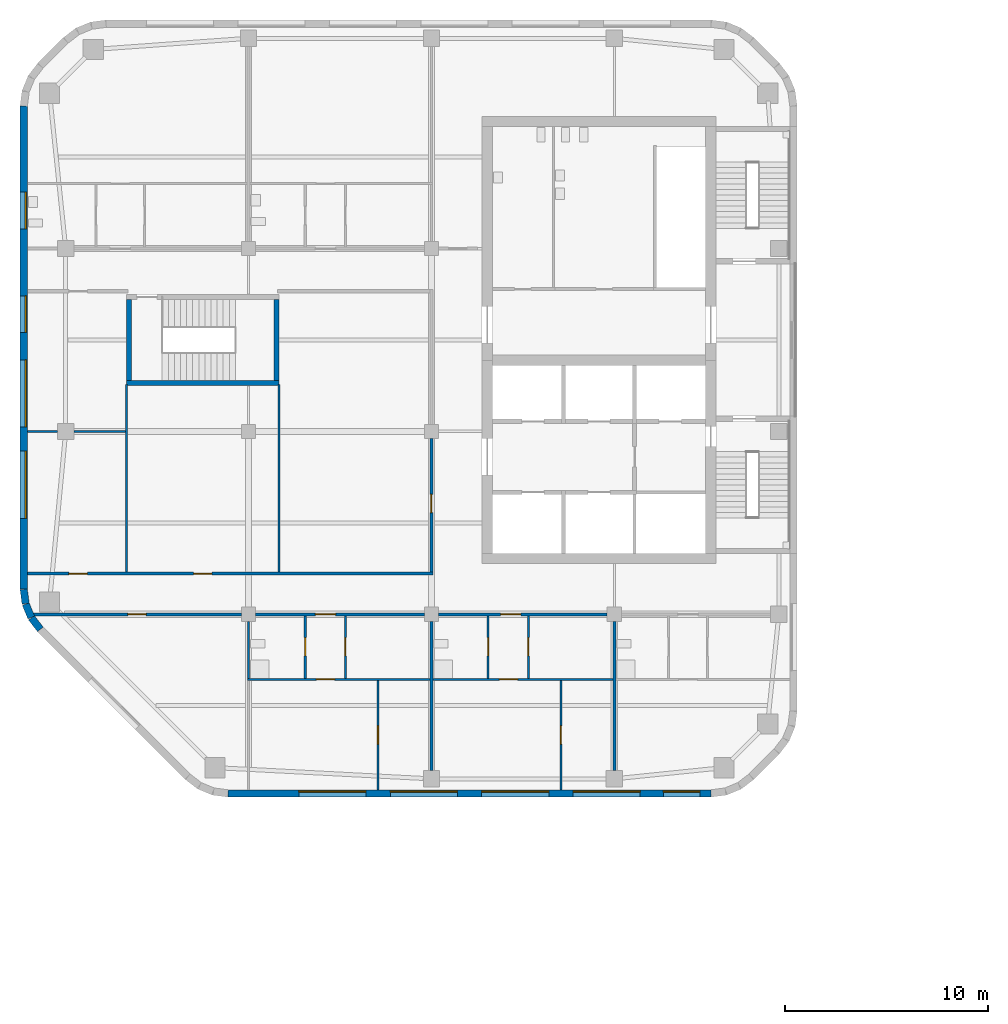
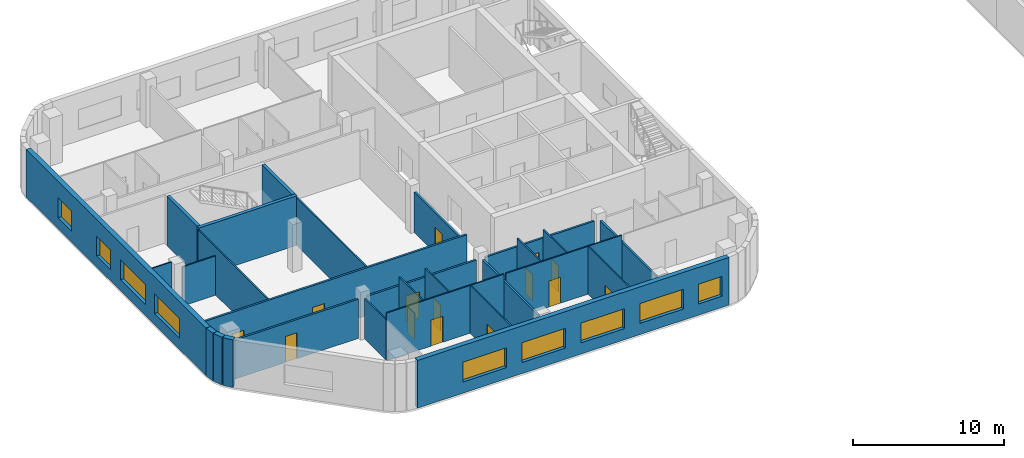
# One storey, part 5 of 16: 28 walls, 14 doors, 9 windows, 23 openings.
"""IFC4 building model written with IfcOpenShell, lengths in metres."""

from ifc_helpers import new_model, si_unit, direction, frame, frame_2d, origin, place, context, subcontext, project, spatial, rectangle, extrude, material, layer, layer_set, type_object, element, fill, save


model = new_model("IFC4")

# Units and contexts
model_context = context("Model", 3, precision=1e-05, world=origin(), true_north=direction((0.0, 1.0)))
body_context = subcontext(model_context, "Body", "Model", "MODEL_VIEW")
ifc_project = project(units=[si_unit("LENGTHUNIT", "METRE"), si_unit("AREAUNIT", "SQUARE_METRE"), si_unit("VOLUMEUNIT", "CUBIC_METRE"), si_unit("PLANEANGLEUNIT", "RADIAN"), si_unit("MASSUNIT", "GRAM", prefix="KILO")], contexts=[model_context])

# Site, building, storey
site_placement = place(None, origin())
site = spatial("IfcSite", under=ifc_project, at=site_placement, CompositionType="ELEMENT")
building_placement = place(site_placement, origin())
building = spatial("IfcBuilding", under=site, at=building_placement, Name="Cinnabar Reach Civic Tower", CompositionType="ELEMENT")
storey_placement = place(building_placement, frame((0.0, 0.0, 55.0)))
storey = spatial("IfcBuildingStorey", under=building, at=storey_placement, Name="L12", CompositionType="ELEMENT", Elevation=55.0)

# Walls
ifc_material_1 = material(Name="Facing brick with insulated backing", Category="masonry")
ifc_layer_1 = layer(ifc_material_1, 0.36)
ifc_layer_set_1 = layer_set([ifc_layer_1], Name="Brick corner wall")
wall_type_1 = type_object("IfcWallType", Name="Brick corner wall", PredefinedType="STANDARD", material=ifc_layer_set_1)
for number, where, z_axis, x_axis, name in (
    (1, (-65.067, 19.2314, 0.0), (0.0, 0.0, 1.0), (0.13055608231, -0.99144092581, 0.0), "Brick corner wall"),
    (2, (-64.9681, 18.5027, 0.0), (0.0, 0.0, 1.0), (0.382702709855, -0.923871547278, 0.0), "Brick corner wall"),
):
    element("IfcWall", number, at=place(storey_placement, frame(where, z_axis=z_axis, x_axis=x_axis)), inside=storey, type_object=wall_type_1, Name=name, PredefinedType="STANDARD", context=body_context, shape_type="SweptSolid", body=[
        extrude(rectangle(XDim=0.7131, YDim=0.36, at=frame_2d((0.3565, 0.0))), origin(), (0.0, 0.0, 1.0), 3.85),
    ])
wall_1_placement = place(storey_placement, frame((-64.684, 17.8245, 0.0), z_axis=(0.0, 0.0, 1.0), x_axis=(0.608802368033, -0.793321924995, 0.0)))
element("IfcWall", 3, at=wall_1_placement, inside=storey, type_object=wall_type_1, Name="Brick corner wall", PredefinedType="STANDARD", context=body_context, shape_type="SweptSolid", body=[
    extrude(rectangle(XDim=0.7132, YDim=0.36, at=frame_2d((0.3566, 0.0))), origin(), (0.0, 0.0, 1.0), 3.85),
])

# Wall, openings, windows
ifc_layer_2 = layer(ifc_material_1, 0.36)
ifc_layer_set_2 = layer_set([ifc_layer_2], Name="Brick pier and spandrel wall")
wall_type_2 = type_object("IfcWallType", Name="Brick pier and spandrel wall", PredefinedType="STANDARD", material=ifc_layer_set_2)
wall_2_placement = place(storey_placement, frame((-55.0074, 9.18, 0.0), z_axis=(0.0, 0.0, 1.0), x_axis=(1.0, 0.0, 0.0)))
wall_2 = element("IfcWall", 4, at=wall_2_placement, inside=storey, type_object=wall_type_2, Name="Brick facade wall", PredefinedType="STANDARD", context=body_context, shape_type="SweptSolid", body=[
    extrude(rectangle(XDim=23.7648, YDim=0.36, at=frame_2d((11.8824, 0.0))), origin(), (0.0, 0.0, 1.0), 3.85),
])
opening_1_placement = place(wall_2_placement, frame((3.4824, 0.0, 0.9)))
opening_1 = element("IfcOpeningElement", 5, at=opening_1_placement, cuts=wall_2, Name="Opening W2497", PredefinedType="OPENING", context=body_context, shape_type="SweptSolid", body=[
    extrude(rectangle(XDim=3.3, YDim=1.6, at=frame_2d((1.65, 0.8))), frame((0.0, 0.19, 0.0), z_axis=(0.0, -1.0, 0.0), x_axis=(1.0, 0.0, 0.0)), (0.0, 0.0, 1.0), 0.38),
])
opening_2_placement = place(wall_2_placement, frame((7.9824, 0.0, 0.9)))
opening_2 = element("IfcOpeningElement", 6, at=opening_2_placement, cuts=wall_2, Name="Opening W2498", PredefinedType="OPENING", context=body_context, shape_type="SweptSolid", body=[
    extrude(rectangle(XDim=3.3, YDim=1.6, at=frame_2d((1.65, 0.8))), frame((0.0, 0.19, 0.0), z_axis=(0.0, -1.0, 0.0), x_axis=(1.0, 0.0, 0.0)), (0.0, 0.0, 1.0), 0.38),
])
opening_3_placement = place(wall_2_placement, frame((12.4824, 0.0, 0.9)))
opening_3 = element("IfcOpeningElement", 7, at=opening_3_placement, cuts=wall_2, Name="Opening W2499", PredefinedType="OPENING", context=body_context, shape_type="SweptSolid", body=[
    extrude(rectangle(XDim=3.3, YDim=1.6, at=frame_2d((1.65, 0.8))), frame((0.0, 0.19, 0.0), z_axis=(0.0, -1.0, 0.0), x_axis=(1.0, 0.0, 0.0)), (0.0, 0.0, 1.0), 0.38),
])
opening_4_placement = place(wall_2_placement, frame((16.9824, 0.0, 0.9)))
opening_4 = element("IfcOpeningElement", 8, at=opening_4_placement, cuts=wall_2, Name="Opening W2500", PredefinedType="OPENING", context=body_context, shape_type="SweptSolid", body=[
    extrude(rectangle(XDim=3.3, YDim=1.6, at=frame_2d((1.65, 0.8))), frame((0.0, 0.19, 0.0), z_axis=(0.0, -1.0, 0.0), x_axis=(1.0, 0.0, 0.0)), (0.0, 0.0, 1.0), 0.38),
])
opening_5_placement = place(wall_2_placement, frame((21.4235, 0.0, 0.9)))
opening_5 = element("IfcOpeningElement", 9, at=opening_5_placement, cuts=wall_2, Name="Opening W2501", PredefinedType="OPENING", context=body_context, shape_type="SweptSolid", body=[
    extrude(rectangle(XDim=1.8, YDim=1.6, at=frame_2d((0.9, 0.8))), frame((0.0, 0.19, 0.0), z_axis=(0.0, -1.0, 0.0), x_axis=(1.0, 0.0, 0.0)), (0.0, 0.0, 1.0), 0.38),
])
ifc_material_2 = material(Name="Clear double glazing in aluminium frame", Category="aluminium")
window_type_1 = type_object("IfcWindowType", Name="Deep-set window A", PartitioningType="SINGLE_PANEL", PredefinedType="WINDOW", material=ifc_material_2)
window_1_placement = place(opening_1_placement, origin())
window_1 = element("IfcWindow", 10, at=window_1_placement, inside=storey, type_object=window_type_1, Name="Window south face", OverallHeight=1.6, OverallWidth=3.3, PartitioningType="SINGLE_PANEL", PredefinedType="WINDOW", context=body_context, shape_type="SweptSolid", body=[
    extrude(rectangle(XDim=3.3, YDim=1.6, at=frame_2d((1.65, 0.8))), frame((0.0, 0.13, 0.0), z_axis=(0.0, -1.0, 0.0), x_axis=(1.0, 0.0, 0.0)), (0.0, 0.0, 1.0), 0.06),
])
fill(opening_1, window_1)
window_2_placement = place(opening_2_placement, origin())
window_2 = element("IfcWindow", 11, at=window_2_placement, inside=storey, type_object=window_type_1, Name="Window south face", OverallHeight=1.6, OverallWidth=3.3, PartitioningType="SINGLE_PANEL", PredefinedType="WINDOW", context=body_context, shape_type="SweptSolid", body=[
    extrude(rectangle(XDim=3.3, YDim=1.6, at=frame_2d((1.65, 0.8))), frame((0.0, 0.13, 0.0), z_axis=(0.0, -1.0, 0.0), x_axis=(1.0, 0.0, 0.0)), (0.0, 0.0, 1.0), 0.06),
])
fill(opening_2, window_2)
window_3_placement = place(opening_3_placement, origin())
window_3 = element("IfcWindow", 12, at=window_3_placement, inside=storey, type_object=window_type_1, Name="Window south face", OverallHeight=1.6, OverallWidth=3.3, PartitioningType="SINGLE_PANEL", PredefinedType="WINDOW", context=body_context, shape_type="SweptSolid", body=[
    extrude(rectangle(XDim=3.3, YDim=1.6, at=frame_2d((1.65, 0.8))), frame((0.0, 0.13, 0.0), z_axis=(0.0, -1.0, 0.0), x_axis=(1.0, 0.0, 0.0)), (0.0, 0.0, 1.0), 0.06),
])
fill(opening_3, window_3)
window_4_placement = place(opening_4_placement, origin())
window_4 = element("IfcWindow", 13, at=window_4_placement, inside=storey, type_object=window_type_1, Name="Window south face", OverallHeight=1.6, OverallWidth=3.3, PartitioningType="SINGLE_PANEL", PredefinedType="WINDOW", context=body_context, shape_type="SweptSolid", body=[
    extrude(rectangle(XDim=3.3, YDim=1.6, at=frame_2d((1.65, 0.8))), frame((0.0, 0.13, 0.0), z_axis=(0.0, -1.0, 0.0), x_axis=(1.0, 0.0, 0.0)), (0.0, 0.0, 1.0), 0.06),
])
fill(opening_4, window_4)
window_type_2 = type_object("IfcWindowType", Name="Deep-set window D", PartitioningType="SINGLE_PANEL", PredefinedType="WINDOW", material=ifc_material_2)
window_5_placement = place(opening_5_placement, origin())
window_5 = element("IfcWindow", 14, at=window_5_placement, inside=storey, type_object=window_type_2, Name="Window south face", OverallHeight=1.6, OverallWidth=1.8, PartitioningType="SINGLE_PANEL", PredefinedType="WINDOW", context=body_context, shape_type="SweptSolid", body=[
    extrude(rectangle(XDim=1.8, YDim=1.6, at=frame_2d((0.9, 0.8))), frame((0.0, 0.13, 0.0), z_axis=(0.0, -1.0, 0.0), x_axis=(1.0, 0.0, 0.0)), (0.0, 0.0, 1.0), 0.06),
])
fill(opening_5, window_5)

wall_3_placement = place(storey_placement, frame((-65.07, 43.0074, 0.0), z_axis=(0.0, 0.0, 1.0), x_axis=(0.0, -1.0, 0.0)))
wall_3 = element("IfcWall", 15, at=wall_3_placement, inside=storey, type_object=wall_type_2, Name="Brick facade wall", PredefinedType="STANDARD", context=body_context, shape_type="SweptSolid", body=[
    extrude(rectangle(XDim=23.7648, YDim=0.36, at=frame_2d((11.8824, 0.0))), origin(), (0.0, 0.0, 1.0), 3.85),
])
opening_6_placement = place(wall_3_placement, frame((4.2324, 0.0, 0.9)))
opening_6 = element("IfcOpeningElement", 16, at=opening_6_placement, cuts=wall_3, Name="Opening W2510", PredefinedType="OPENING", context=body_context, shape_type="SweptSolid", body=[
    extrude(rectangle(XDim=1.8, YDim=1.6, at=frame_2d((0.9, 0.8))), frame((0.0, 0.19, 0.0), z_axis=(0.0, -1.0, 0.0), x_axis=(1.0, 0.0, 0.0)), (0.0, 0.0, 1.0), 0.38),
])
opening_7_placement = place(wall_3_placement, frame((9.3324, 0.0, 0.9)))
opening_7 = element("IfcOpeningElement", 17, at=opening_7_placement, cuts=wall_3, Name="Opening W2511", PredefinedType="OPENING", context=body_context, shape_type="SweptSolid", body=[
    extrude(rectangle(XDim=1.8, YDim=1.6, at=frame_2d((0.9, 0.8))), frame((0.0, 0.19, 0.0), z_axis=(0.0, -1.0, 0.0), x_axis=(1.0, 0.0, 0.0)), (0.0, 0.0, 1.0), 0.38),
])
opening_8_placement = place(wall_3_placement, frame((12.4824, 0.0, 0.9)))
opening_8 = element("IfcOpeningElement", 18, at=opening_8_placement, cuts=wall_3, Name="Opening W2512", PredefinedType="OPENING", context=body_context, shape_type="SweptSolid", body=[
    extrude(rectangle(XDim=3.3, YDim=1.6, at=frame_2d((1.65, 0.8))), frame((0.0, 0.19, 0.0), z_axis=(0.0, -1.0, 0.0), x_axis=(1.0, 0.0, 0.0)), (0.0, 0.0, 1.0), 0.38),
])
opening_9_placement = place(wall_3_placement, frame((16.9824, 0.0, 0.9)))
opening_9 = element("IfcOpeningElement", 19, at=opening_9_placement, cuts=wall_3, Name="Opening W2513", PredefinedType="OPENING", context=body_context, shape_type="SweptSolid", body=[
    extrude(rectangle(XDim=3.3, YDim=1.6, at=frame_2d((1.65, 0.8))), frame((0.0, 0.19, 0.0), z_axis=(0.0, -1.0, 0.0), x_axis=(1.0, 0.0, 0.0)), (0.0, 0.0, 1.0), 0.38),
])
window_6_placement = place(opening_8_placement, origin())
window_6 = element("IfcWindow", 20, at=window_6_placement, inside=storey, type_object=window_type_1, Name="Window west face", OverallHeight=1.6, OverallWidth=3.3, PartitioningType="SINGLE_PANEL", PredefinedType="WINDOW", context=body_context, shape_type="SweptSolid", body=[
    extrude(rectangle(XDim=3.3, YDim=1.6, at=frame_2d((1.65, 0.8))), frame((0.0, 0.13, 0.0), z_axis=(0.0, -1.0, 0.0), x_axis=(1.0, 0.0, 0.0)), (0.0, 0.0, 1.0), 0.06),
])
fill(opening_8, window_6)
window_7_placement = place(opening_9_placement, origin())
window_7 = element("IfcWindow", 21, at=window_7_placement, inside=storey, type_object=window_type_1, Name="Window west face", OverallHeight=1.6, OverallWidth=3.3, PartitioningType="SINGLE_PANEL", PredefinedType="WINDOW", context=body_context, shape_type="SweptSolid", body=[
    extrude(rectangle(XDim=3.3, YDim=1.6, at=frame_2d((1.65, 0.8))), frame((0.0, 0.13, 0.0), z_axis=(0.0, -1.0, 0.0), x_axis=(1.0, 0.0, 0.0)), (0.0, 0.0, 1.0), 0.06),
])
fill(opening_9, window_7)
window_8_placement = place(opening_6_placement, origin())
window_8 = element("IfcWindow", 22, at=window_8_placement, inside=storey, type_object=window_type_2, Name="Window west face", OverallHeight=1.6, OverallWidth=1.8, PartitioningType="SINGLE_PANEL", PredefinedType="WINDOW", context=body_context, shape_type="SweptSolid", body=[
    extrude(rectangle(XDim=1.8, YDim=1.6, at=frame_2d((0.9, 0.8))), frame((0.0, 0.13, 0.0), z_axis=(0.0, -1.0, 0.0), x_axis=(1.0, 0.0, 0.0)), (0.0, 0.0, 1.0), 0.06),
])
fill(opening_6, window_8)
window_9_placement = place(opening_7_placement, origin())
window_9 = element("IfcWindow", 23, at=window_9_placement, inside=storey, type_object=window_type_2, Name="Window west face", OverallHeight=1.6, OverallWidth=1.8, PartitioningType="SINGLE_PANEL", PredefinedType="WINDOW", context=body_context, shape_type="SweptSolid", body=[
    extrude(rectangle(XDim=1.8, YDim=1.6, at=frame_2d((0.9, 0.8))), frame((0.0, 0.13, 0.0), z_axis=(0.0, -1.0, 0.0), x_axis=(1.0, 0.0, 0.0)), (0.0, 0.0, 1.0), 0.06),
])
fill(opening_7, window_9)

# Wall, opening, door
ifc_material_3 = material(Name="Gypsum board on steel studs, double layer", Category="steel")
ifc_layer_3 = layer(ifc_material_3, 0.15)
ifc_layer_set_3 = layer_set([ifc_layer_3], Name="Corridor wall 150 T2")
wall_type_3 = type_object("IfcWallType", Name="Corridor wall 150 T2", PredefinedType="PARTITIONING", material=ifc_layer_set_3)
wall_4_placement = place(storey_placement, frame((-44.65, 18.0, 0.0), z_axis=(0.0, 0.0, 1.0), x_axis=(1.0, 0.0, 0.0)))
wall_4 = element("IfcWall", 24, at=wall_4_placement, inside=storey, type_object=wall_type_3, Name="Corridor wall 2", PredefinedType="PARTITIONING", context=body_context, shape_type="SweptSolid", body=[
    extrude(rectangle(XDim=8.3, YDim=0.15, at=frame_2d((4.15, 0.0))), origin(), (0.0, 0.0, 1.0), 3.158),
])
opening_10_placement = place(wall_4_placement, frame((3.05, 0.0, 0.0)))
opening_10 = element("IfcOpeningElement", 25, at=opening_10_placement, cuts=wall_4, Name="Opening D6466", PredefinedType="OPENING", context=body_context, shape_type="SweptSolid", body=[
    extrude(rectangle(XDim=1.0, YDim=2.1, at=frame_2d((0.5, 1.05))), frame((0.0, 0.085, 0.0), z_axis=(0.0, -1.0, 0.0), x_axis=(1.0, 0.0, 0.0)), (0.0, 0.0, 1.0), 0.17),
])
ifc_material_4 = material(Name="Timber door leaf in steel frame", Category="steel")
door_type_1 = type_object("IfcDoorType", Name="Tenancy entrance door 1000 x 2100 T2", OperationType="SINGLE_SWING_LEFT", PredefinedType="DOOR", material=ifc_material_4)
door_1_placement = place(opening_10_placement, frame((1.0, 0.0, 0.0), z_axis=(0.0, 0.0, 1.0), x_axis=(-1.0, 0.0, 0.0)))
door_1 = element("IfcDoor", 26, at=door_1_placement, inside=storey, type_object=door_type_1, Name="Door D6466", OperationType="SINGLE_SWING_LEFT", OverallHeight=2.1, OverallWidth=1.0, PredefinedType="DOOR", context=body_context, shape_type="SweptSolid", body=[
    extrude(rectangle(XDim=1.0, YDim=2.1, at=frame_2d((0.5, 1.05))), frame((0.0, 0.025, 0.0), z_axis=(0.0, -1.0, 0.0), x_axis=(1.0, 0.0, 0.0)), (0.0, 0.0, 1.0), 0.05),
])
fill(opening_10, door_1)

wall_5_placement = place(storey_placement, frame((-53.65, 18.0, 0.0), z_axis=(0.0, 0.0, 1.0), x_axis=(1.0, 0.0, 0.0)))
wall_5 = element("IfcWall", 27, at=wall_5_placement, inside=storey, type_object=wall_type_3, Name="Corridor wall 3", PredefinedType="PARTITIONING", context=body_context, shape_type="SweptSolid", body=[
    extrude(rectangle(XDim=8.3, YDim=0.15, at=frame_2d((4.15, 0.0))), origin(), (0.0, 0.0, 1.0), 3.158),
])
opening_11_placement = place(wall_5_placement, frame((2.94, 0.0, 0.0)))
opening_11 = element("IfcOpeningElement", 28, at=opening_11_placement, cuts=wall_5, Name="Opening D6461", PredefinedType="OPENING", context=body_context, shape_type="SweptSolid", body=[
    extrude(rectangle(XDim=1.0, YDim=2.1, at=frame_2d((0.5, 1.05))), frame((0.0, 0.085, 0.0), z_axis=(0.0, -1.0, 0.0), x_axis=(1.0, 0.0, 0.0)), (0.0, 0.0, 1.0), 0.17),
])
door_2_placement = place(opening_11_placement, frame((1.0, 0.0, 0.0), z_axis=(0.0, 0.0, 1.0), x_axis=(-1.0, 0.0, 0.0)))
door_2 = element("IfcDoor", 29, at=door_2_placement, inside=storey, type_object=door_type_1, Name="Door D6461", OperationType="SINGLE_SWING_LEFT", OverallHeight=2.1, OverallWidth=1.0, PredefinedType="DOOR", context=body_context, shape_type="SweptSolid", body=[
    extrude(rectangle(XDim=1.0, YDim=2.1, at=frame_2d((0.5, 1.05))), frame((0.0, 0.025, 0.0), z_axis=(0.0, -1.0, 0.0), x_axis=(1.0, 0.0, 0.0)), (0.0, 0.0, 1.0), 0.05),
])
fill(opening_11, door_2)

wall_6_placement = place(storey_placement, frame((-64.5961, 18.0, 0.0), z_axis=(0.0, 0.0, 1.0), x_axis=(1.0, 0.0, 0.0)))
wall_6 = element("IfcWall", 30, at=wall_6_placement, inside=storey, type_object=wall_type_3, Name="Corridor wall 4", PredefinedType="PARTITIONING", context=body_context, shape_type="SweptSolid", body=[
    extrude(rectangle(XDim=10.2461, YDim=0.15, at=frame_2d((5.1231, 0.0))), origin(), (0.0, 0.0, 1.0), 3.158),
])
opening_12_placement = place(wall_6_placement, frame((4.65, 0.0, 0.0)))
opening_12 = element("IfcOpeningElement", 31, at=opening_12_placement, cuts=wall_6, Name="Opening D6456", PredefinedType="OPENING", context=body_context, shape_type="SweptSolid", body=[
    extrude(rectangle(XDim=0.9, YDim=2.1, at=frame_2d((0.45, 1.05))), frame((0.0, 0.085, 0.0), z_axis=(0.0, -1.0, 0.0), x_axis=(1.0, 0.0, 0.0)), (0.0, 0.0, 1.0), 0.17),
])
door_type_2 = type_object("IfcDoorType", Name="Single swing door 900 x 2100 T2", OperationType="SINGLE_SWING_LEFT", PredefinedType="DOOR", material=ifc_material_4)
door_3_placement = place(opening_12_placement, frame((0.9, 0.0, 0.0), z_axis=(0.0, 0.0, 1.0), x_axis=(-1.0, 0.0, 0.0)))
door_3 = element("IfcDoor", 32, at=door_3_placement, inside=storey, type_object=door_type_2, Name="Door D6456", OperationType="SINGLE_SWING_RIGHT", OverallHeight=2.1, OverallWidth=0.9, PredefinedType="DOOR", context=body_context, shape_type="SweptSolid", body=[
    extrude(rectangle(XDim=0.9, YDim=2.1, at=frame_2d((0.45, 1.05))), frame((0.0, 0.025, 0.0), z_axis=(0.0, -1.0, 0.0), x_axis=(1.0, 0.0, 0.0)), (0.0, 0.0, 1.0), 0.05),
])
fill(opening_12, door_3)

# Wall, openings, doors
wall_7_placement = place(storey_placement, frame((-64.89, 20.0, 0.0), z_axis=(0.0, 0.0, 1.0), x_axis=(1.0, 0.0, 0.0)))
wall_7 = element("IfcWall", 33, at=wall_7_placement, inside=storey, type_object=wall_type_3, Name="Corridor wall 9", PredefinedType="PARTITIONING", context=body_context, shape_type="SweptSolid", body=[
    extrude(rectangle(XDim=19.965, YDim=0.15, at=frame_2d((9.9825, 0.0))), origin(), (0.0, 0.0, 1.0), 3.85),
])
opening_13_placement = place(wall_7_placement, frame((2.05, 0.0, 0.0)))
opening_13 = element("IfcOpeningElement", 34, at=opening_13_placement, cuts=wall_7, Name="Opening D6479", PredefinedType="OPENING", context=body_context, shape_type="SweptSolid", body=[
    extrude(rectangle(XDim=0.9, YDim=2.1, at=frame_2d((0.45, 1.05))), frame((0.0, 0.085, 0.0), z_axis=(0.0, -1.0, 0.0), x_axis=(1.0, 0.0, 0.0)), (0.0, 0.0, 1.0), 0.17),
])
opening_14_placement = place(wall_7_placement, frame((8.19, 0.0, 0.0)))
opening_14 = element("IfcOpeningElement", 35, at=opening_14_placement, cuts=wall_7, Name="Opening D6481", PredefinedType="OPENING", context=body_context, shape_type="SweptSolid", body=[
    extrude(rectangle(XDim=0.9, YDim=2.1, at=frame_2d((0.45, 1.05))), frame((0.0, 0.085, 0.0), z_axis=(0.0, -1.0, 0.0), x_axis=(1.0, 0.0, 0.0)), (0.0, 0.0, 1.0), 0.17),
])
door_4_placement = place(opening_13_placement, origin())
door_4 = element("IfcDoor", 36, at=door_4_placement, inside=storey, type_object=door_type_2, Name="Door D6479", OperationType="SINGLE_SWING_LEFT", OverallHeight=2.1, OverallWidth=0.9, PredefinedType="DOOR", context=body_context, shape_type="SweptSolid", body=[
    extrude(rectangle(XDim=0.9, YDim=2.1, at=frame_2d((0.45, 1.05))), frame((0.0, 0.025, 0.0), z_axis=(0.0, -1.0, 0.0), x_axis=(1.0, 0.0, 0.0)), (0.0, 0.0, 1.0), 0.05),
])
fill(opening_13, door_4)
door_5_placement = place(opening_14_placement, origin())
door_5 = element("IfcDoor", 37, at=door_5_placement, inside=storey, type_object=door_type_2, Name="Door D6481", OperationType="SINGLE_SWING_LEFT", OverallHeight=2.1, OverallWidth=0.9, PredefinedType="DOOR", context=body_context, shape_type="SweptSolid", body=[
    extrude(rectangle(XDim=0.9, YDim=2.1, at=frame_2d((0.45, 1.05))), frame((0.0, 0.025, 0.0), z_axis=(0.0, -1.0, 0.0), x_axis=(1.0, 0.0, 0.0)), (0.0, 0.0, 1.0), 0.05),
])
fill(opening_14, door_5)

# Wall, opening, door
wall_8_placement = place(storey_placement, frame((-45.0, 20.075, 0.0), z_axis=(0.0, 0.0, 1.0), x_axis=(0.0, 1.0, 0.0)))
wall_8 = element("IfcWall", 38, at=wall_8_placement, inside=storey, type_object=wall_type_3, Name="Corridor wall 10", PredefinedType="PARTITIONING", context=body_context, shape_type="SweptSolid", body=[
    extrude(rectangle(XDim=6.575, YDim=0.15, at=frame_2d((3.2875, 0.0))), origin(), (0.0, 0.0, 1.0), 3.256),
])
opening_15_placement = place(wall_8_placement, frame((2.925, 0.0, 0.0)))
opening_15 = element("IfcOpeningElement", 39, at=opening_15_placement, cuts=wall_8, Name="Opening D6482", PredefinedType="OPENING", context=body_context, shape_type="SweptSolid", body=[
    extrude(rectangle(XDim=0.9, YDim=2.1, at=frame_2d((0.45, 1.05))), frame((0.0, 0.085, 0.0), z_axis=(0.0, -1.0, 0.0), x_axis=(1.0, 0.0, 0.0)), (0.0, 0.0, 1.0), 0.17),
])
door_6_placement = place(opening_15_placement, origin())
door_6 = element("IfcDoor", 40, at=door_6_placement, inside=storey, type_object=door_type_2, Name="Door D6482", OperationType="SINGLE_SWING_LEFT", OverallHeight=2.1, OverallWidth=0.9, PredefinedType="DOOR", context=body_context, shape_type="SweptSolid", body=[
    extrude(rectangle(XDim=0.9, YDim=2.1, at=frame_2d((0.45, 1.05))), frame((0.0, 0.025, 0.0), z_axis=(0.0, -1.0, 0.0), x_axis=(1.0, 0.0, 0.0)), (0.0, 0.0, 1.0), 0.05),
])
fill(opening_15, door_6)

ifc_material_5 = material(Name="Gypsum board on steel studs", Category="steel")
ifc_layer_4 = layer(ifc_material_5, 0.1)
ifc_layer_set_4 = layer_set([ifc_layer_4], Name="Partition wall 100 T2")
wall_type_4 = type_object("IfcWallType", Name="Partition wall 100 T2", PredefinedType="PARTITIONING", material=ifc_layer_set_4)
wall_9_placement = place(storey_placement, frame((-54.05, 14.8, 0.0), z_axis=(0.0, 0.0, 1.0), x_axis=(1.0, 0.0, 0.0)))
wall_9 = element("IfcWall", 41, at=wall_9_placement, inside=storey, type_object=wall_type_4, Name="Partition wall 17", PredefinedType="PARTITIONING", context=body_context, shape_type="SweptSolid", body=[
    extrude(rectangle(XDim=8.975, YDim=0.1, at=frame_2d((4.4875, 0.0))), origin(), (0.0, 0.0, 1.0), 3.85),
])
opening_16_placement = place(wall_9_placement, frame((3.39, 0.0, 0.0)))
opening_16 = element("IfcOpeningElement", 42, at=opening_16_placement, cuts=wall_9, Name="Opening D6459", PredefinedType="OPENING", context=body_context, shape_type="SweptSolid", body=[
    extrude(rectangle(XDim=0.9, YDim=2.1, at=frame_2d((0.45, 1.05))), frame((0.0, 0.06, 0.0), z_axis=(0.0, -1.0, 0.0), x_axis=(1.0, 0.0, 0.0)), (0.0, 0.0, 1.0), 0.12),
])
door_7_placement = place(opening_16_placement, origin())
door_7 = element("IfcDoor", 43, at=door_7_placement, inside=storey, type_object=door_type_2, Name="Door D6459", OperationType="SINGLE_SWING_RIGHT", OverallHeight=2.1, OverallWidth=0.9, PredefinedType="DOOR", context=body_context, shape_type="SweptSolid", body=[
    extrude(rectangle(XDim=0.9, YDim=2.1, at=frame_2d((0.45, 1.05))), frame((0.0, 0.025, 0.0), z_axis=(0.0, -1.0, 0.0), x_axis=(1.0, 0.0, 0.0)), (0.0, 0.0, 1.0), 0.05),
])
fill(opening_16, door_7)

wall_10_placement = place(storey_placement, frame((-44.925, 14.8, 0.0), z_axis=(0.0, 0.0, 1.0), x_axis=(1.0, 0.0, 0.0)))
wall_10 = element("IfcWall", 44, at=wall_10_placement, inside=storey, type_object=wall_type_4, Name="Partition wall 18", PredefinedType="PARTITIONING", context=body_context, shape_type="SweptSolid", body=[
    extrude(rectangle(XDim=8.85, YDim=0.1, at=frame_2d((4.425, 0.0))), origin(), (0.0, 0.0, 1.0), 3.85),
])
opening_17_placement = place(wall_10_placement, frame((3.265, 0.0, 0.0)))
opening_17 = element("IfcOpeningElement", 45, at=opening_17_placement, cuts=wall_10, Name="Opening D6464", PredefinedType="OPENING", context=body_context, shape_type="SweptSolid", body=[
    extrude(rectangle(XDim=0.9, YDim=2.1, at=frame_2d((0.45, 1.05))), frame((0.0, 0.06, 0.0), z_axis=(0.0, -1.0, 0.0), x_axis=(1.0, 0.0, 0.0)), (0.0, 0.0, 1.0), 0.12),
])
door_8_placement = place(opening_17_placement, origin())
door_8 = element("IfcDoor", 46, at=door_8_placement, inside=storey, type_object=door_type_2, Name="Door D6464", OperationType="SINGLE_SWING_RIGHT", OverallHeight=2.1, OverallWidth=0.9, PredefinedType="DOOR", context=body_context, shape_type="SweptSolid", body=[
    extrude(rectangle(XDim=0.9, YDim=2.1, at=frame_2d((0.45, 1.05))), frame((0.0, 0.025, 0.0), z_axis=(0.0, -1.0, 0.0), x_axis=(1.0, 0.0, 0.0)), (0.0, 0.0, 1.0), 0.05),
])
fill(opening_17, door_8)

# Walls
for number, where, z_axis, x_axis, name in (
    (47, (-60.0, 20.075, 0.0), (0.0, 0.0, 1.0), (0.0, 1.0, 0.0), "Partition wall 24"),
    (48, (-52.5, 20.075, 0.0), (0.0, 0.0, 1.0), (0.0, 1.0, 0.0), "Partition wall 25"),
):
    element("IfcWall", number, at=place(storey_placement, frame(where, z_axis=z_axis, x_axis=x_axis)), inside=storey, type_object=wall_type_4, Name=name, PredefinedType="PARTITIONING", context=body_context, shape_type="SweptSolid", body=[
        extrude(rectangle(XDim=9.225, YDim=0.1, at=frame_2d((4.6125, 0.0))), origin(), (0.0, 0.0, 1.0), 3.85),
    ])
wall_11_placement = place(storey_placement, frame((-54.0, 14.85, 0.0), z_axis=(0.0, 0.0, 1.0), x_axis=(0.0, 1.0, 0.0)))
element("IfcWall", 49, at=wall_11_placement, inside=storey, type_object=wall_type_4, Name="Partition wall 27", PredefinedType="PARTITIONING", context=body_context, shape_type="SweptSolid", body=[
    extrude(rectangle(XDim=2.8, YDim=0.1, at=frame_2d((1.4, 0.0))), origin(), (0.0, 0.0, 1.0), 3.256),
])

# Wall, opening, door
wall_12_placement = place(storey_placement, frame((-47.63, 9.36, 0.0), z_axis=(0.0, 0.0, 1.0), x_axis=(0.0, 1.0, 0.0)))
wall_12 = element("IfcWall", 50, at=wall_12_placement, inside=storey, type_object=wall_type_4, Name="Partition wall 28", PredefinedType="PARTITIONING", context=body_context, shape_type="SweptSolid", body=[
    extrude(rectangle(XDim=5.39, YDim=0.1, at=frame_2d((2.695, 0.0))), origin(), (0.0, 0.0, 1.0), 3.85),
])
opening_18_placement = place(wall_12_placement, frame((2.25, 0.0, 0.0)))
opening_18 = element("IfcOpeningElement", 51, at=opening_18_placement, cuts=wall_12, Name="Opening D6460", PredefinedType="OPENING", context=body_context, shape_type="SweptSolid", body=[
    extrude(rectangle(XDim=0.9, YDim=2.1, at=frame_2d((0.45, 1.05))), frame((0.0, 0.06, 0.0), z_axis=(0.0, -1.0, 0.0), x_axis=(1.0, 0.0, 0.0)), (0.0, 0.0, 1.0), 0.12),
])
door_9_placement = place(opening_18_placement, frame((0.9, 0.0, 0.0), z_axis=(0.0, 0.0, 1.0), x_axis=(-1.0, 0.0, 0.0)))
door_9 = element("IfcDoor", 52, at=door_9_placement, inside=storey, type_object=door_type_2, Name="Door D6460", OperationType="SINGLE_SWING_RIGHT", OverallHeight=2.1, OverallWidth=0.9, PredefinedType="DOOR", context=body_context, shape_type="SweptSolid", body=[
    extrude(rectangle(XDim=0.9, YDim=2.1, at=frame_2d((0.45, 1.05))), frame((0.0, 0.025, 0.0), z_axis=(0.0, -1.0, 0.0), x_axis=(1.0, 0.0, 0.0)), (0.0, 0.0, 1.0), 0.05),
])
fill(opening_18, door_9)

wall_13_placement = place(storey_placement, frame((-38.63, 9.36, 0.0), z_axis=(0.0, 0.0, 1.0), x_axis=(0.0, 1.0, 0.0)))
wall_13 = element("IfcWall", 53, at=wall_13_placement, inside=storey, type_object=wall_type_4, Name="Partition wall 29", PredefinedType="PARTITIONING", context=body_context, shape_type="SweptSolid", body=[
    extrude(rectangle(XDim=5.39, YDim=0.1, at=frame_2d((2.695, 0.0))), origin(), (0.0, 0.0, 1.0), 3.85),
])
opening_19_placement = place(wall_13_placement, frame((2.25, 0.0, 0.0)))
opening_19 = element("IfcOpeningElement", 54, at=opening_19_placement, cuts=wall_13, Name="Opening D6465", PredefinedType="OPENING", context=body_context, shape_type="SweptSolid", body=[
    extrude(rectangle(XDim=0.9, YDim=2.1, at=frame_2d((0.45, 1.05))), frame((0.0, 0.06, 0.0), z_axis=(0.0, -1.0, 0.0), x_axis=(1.0, 0.0, 0.0)), (0.0, 0.0, 1.0), 0.12),
])
door_10_placement = place(opening_19_placement, frame((0.9, 0.0, 0.0), z_axis=(0.0, 0.0, 1.0), x_axis=(-1.0, 0.0, 0.0)))
door_10 = element("IfcDoor", 55, at=door_10_placement, inside=storey, type_object=door_type_2, Name="Door D6465", OperationType="SINGLE_SWING_LEFT", OverallHeight=2.1, OverallWidth=0.9, PredefinedType="DOOR", context=body_context, shape_type="SweptSolid", body=[
    extrude(rectangle(XDim=0.9, YDim=2.1, at=frame_2d((0.45, 1.05))), frame((0.0, 0.025, 0.0), z_axis=(0.0, -1.0, 0.0), x_axis=(1.0, 0.0, 0.0)), (0.0, 0.0, 1.0), 0.05),
])
fill(opening_19, door_10)

# Walls
wall_14_placement = place(storey_placement, frame((-62.6, 27.0, 0.0), z_axis=(0.0, 0.0, 1.0), x_axis=(1.0, 0.0, 0.0)))
element("IfcWall", 56, at=wall_14_placement, inside=storey, type_object=wall_type_4, Name="Partition wall 30", PredefinedType="PARTITIONING", context=body_context, shape_type="SweptSolid", body=[
    extrude(rectangle(XDim=2.55, YDim=0.1, at=frame_2d((1.275, 0.0))), origin(), (0.0, 0.0, 1.0), 3.158),
])
wall_15_placement = place(storey_placement, frame((-64.89, 27.0, 0.0), z_axis=(0.0, 0.0, 1.0), x_axis=(1.0, 0.0, 0.0)))
element("IfcWall", 57, at=wall_15_placement, inside=storey, type_object=wall_type_4, Name="Partition wall 31", PredefinedType="PARTITIONING", context=body_context, shape_type="SweptSolid", body=[
    extrude(rectangle(XDim=1.49, YDim=0.1, at=frame_2d((0.745, 0.0))), origin(), (0.0, 0.0, 1.0), 3.85),
])

# Wall, opening, door
wall_16_placement = place(storey_placement, frame((-51.21, 14.85, 0.0), z_axis=(0.0, 0.0, 1.0), x_axis=(0.0, 1.0, 0.0)))
wall_16 = element("IfcWall", 58, at=wall_16_placement, inside=storey, type_object=wall_type_4, Name="Partition wall 36", PredefinedType="PARTITIONING", context=body_context, shape_type="SweptSolid", body=[
    extrude(rectangle(XDim=3.075, YDim=0.1, at=frame_2d((1.5375, 0.0))), origin(), (0.0, 0.0, 1.0), 3.85),
])
opening_20_placement = place(wall_16_placement, frame((1.1, 0.0, 0.0)))
opening_20 = element("IfcOpeningElement", 59, at=opening_20_placement, cuts=wall_16, Name="Opening D6457", PredefinedType="OPENING", context=body_context, shape_type="SweptSolid", body=[
    extrude(rectangle(XDim=0.9, YDim=2.1, at=frame_2d((0.45, 1.05))), frame((0.0, 0.06, 0.0), z_axis=(0.0, -1.0, 0.0), x_axis=(1.0, 0.0, 0.0)), (0.0, 0.0, 1.0), 0.12),
])
door_11_placement = place(opening_20_placement, origin())
door_11 = element("IfcDoor", 60, at=door_11_placement, inside=storey, type_object=door_type_2, Name="Door D6457", OperationType="SINGLE_SWING_RIGHT", OverallHeight=2.1, OverallWidth=0.9, PredefinedType="DOOR", context=body_context, shape_type="SweptSolid", body=[
    extrude(rectangle(XDim=0.9, YDim=2.1, at=frame_2d((0.45, 1.05))), frame((0.0, 0.025, 0.0), z_axis=(0.0, -1.0, 0.0), x_axis=(1.0, 0.0, 0.0)), (0.0, 0.0, 1.0), 0.05),
])
fill(opening_20, door_11)

wall_17_placement = place(storey_placement, frame((-49.23, 14.85, 0.0), z_axis=(0.0, 0.0, 1.0), x_axis=(0.0, 1.0, 0.0)))
wall_17 = element("IfcWall", 61, at=wall_17_placement, inside=storey, type_object=wall_type_4, Name="Partition wall 37", PredefinedType="PARTITIONING", context=body_context, shape_type="SweptSolid", body=[
    extrude(rectangle(XDim=3.075, YDim=0.1, at=frame_2d((1.5375, 0.0))), origin(), (0.0, 0.0, 1.0), 3.85),
])
opening_21_placement = place(wall_17_placement, frame((1.1, 0.0, 0.0)))
opening_21 = element("IfcOpeningElement", 62, at=opening_21_placement, cuts=wall_17, Name="Opening D6458", PredefinedType="OPENING", context=body_context, shape_type="SweptSolid", body=[
    extrude(rectangle(XDim=0.9, YDim=2.1, at=frame_2d((0.45, 1.05))), frame((0.0, 0.06, 0.0), z_axis=(0.0, -1.0, 0.0), x_axis=(1.0, 0.0, 0.0)), (0.0, 0.0, 1.0), 0.12),
])
door_12_placement = place(opening_21_placement, origin())
door_12 = element("IfcDoor", 63, at=door_12_placement, inside=storey, type_object=door_type_2, Name="Door D6458", OperationType="SINGLE_SWING_RIGHT", OverallHeight=2.1, OverallWidth=0.9, PredefinedType="DOOR", context=body_context, shape_type="SweptSolid", body=[
    extrude(rectangle(XDim=0.9, YDim=2.1, at=frame_2d((0.45, 1.05))), frame((0.0, 0.025, 0.0), z_axis=(0.0, -1.0, 0.0), x_axis=(1.0, 0.0, 0.0)), (0.0, 0.0, 1.0), 0.05),
])
fill(opening_21, door_12)

wall_18_placement = place(storey_placement, frame((-42.21, 14.85, 0.0), z_axis=(0.0, 0.0, 1.0), x_axis=(0.0, 1.0, 0.0)))
wall_18 = element("IfcWall", 64, at=wall_18_placement, inside=storey, type_object=wall_type_4, Name="Partition wall 38", PredefinedType="PARTITIONING", context=body_context, shape_type="SweptSolid", body=[
    extrude(rectangle(XDim=3.075, YDim=0.1, at=frame_2d((1.5375, 0.0))), origin(), (0.0, 0.0, 1.0), 3.85),
])
opening_22_placement = place(wall_18_placement, frame((1.1, 0.0, 0.0)))
opening_22 = element("IfcOpeningElement", 65, at=opening_22_placement, cuts=wall_18, Name="Opening D6462", PredefinedType="OPENING", context=body_context, shape_type="SweptSolid", body=[
    extrude(rectangle(XDim=0.9, YDim=2.1, at=frame_2d((0.45, 1.05))), frame((0.0, 0.06, 0.0), z_axis=(0.0, -1.0, 0.0), x_axis=(1.0, 0.0, 0.0)), (0.0, 0.0, 1.0), 0.12),
])
door_13_placement = place(opening_22_placement, origin())
door_13 = element("IfcDoor", 66, at=door_13_placement, inside=storey, type_object=door_type_2, Name="Door D6462", OperationType="SINGLE_SWING_LEFT", OverallHeight=2.1, OverallWidth=0.9, PredefinedType="DOOR", context=body_context, shape_type="SweptSolid", body=[
    extrude(rectangle(XDim=0.9, YDim=2.1, at=frame_2d((0.45, 1.05))), frame((0.0, 0.025, 0.0), z_axis=(0.0, -1.0, 0.0), x_axis=(1.0, 0.0, 0.0)), (0.0, 0.0, 1.0), 0.05),
])
fill(opening_22, door_13)

wall_19_placement = place(storey_placement, frame((-40.23, 14.85, 0.0), z_axis=(0.0, 0.0, 1.0), x_axis=(0.0, 1.0, 0.0)))
wall_19 = element("IfcWall", 67, at=wall_19_placement, inside=storey, type_object=wall_type_4, Name="Partition wall 39", PredefinedType="PARTITIONING", context=body_context, shape_type="SweptSolid", body=[
    extrude(rectangle(XDim=3.075, YDim=0.1, at=frame_2d((1.5375, 0.0))), origin(), (0.0, 0.0, 1.0), 3.85),
])
opening_23_placement = place(wall_19_placement, frame((1.1, 0.0, 0.0)))
opening_23 = element("IfcOpeningElement", 68, at=opening_23_placement, cuts=wall_19, Name="Opening D6463", PredefinedType="OPENING", context=body_context, shape_type="SweptSolid", body=[
    extrude(rectangle(XDim=0.9, YDim=2.1, at=frame_2d((0.45, 1.05))), frame((0.0, 0.06, 0.0), z_axis=(0.0, -1.0, 0.0), x_axis=(1.0, 0.0, 0.0)), (0.0, 0.0, 1.0), 0.12),
])
door_14_placement = place(opening_23_placement, origin())
door_14 = element("IfcDoor", 69, at=door_14_placement, inside=storey, type_object=door_type_2, Name="Door D6463", OperationType="SINGLE_SWING_RIGHT", OverallHeight=2.1, OverallWidth=0.9, PredefinedType="DOOR", context=body_context, shape_type="SweptSolid", body=[
    extrude(rectangle(XDim=0.9, YDim=2.1, at=frame_2d((0.45, 1.05))), frame((0.0, 0.025, 0.0), z_axis=(0.0, -1.0, 0.0), x_axis=(1.0, 0.0, 0.0)), (0.0, 0.0, 1.0), 0.05),
])
fill(opening_23, door_14)

# Walls
ifc_material_6 = material(Name="Concrete C60", Category="concrete")
ifc_layer_5 = layer(ifc_material_6, 0.25)
ifc_layer_set_5 = layer_set([ifc_layer_5], Name="Stair shaft wall 250 EI 120")
wall_type_5 = type_object("IfcWallType", Name="Stair shaft wall 250 EI 120", PredefinedType="SOLIDWALL", material=ifc_layer_set_5)
wall_20_placement = place(storey_placement, frame((-60.0, 29.375, 0.0), z_axis=(0.0, 0.0, 1.0), x_axis=(1.0, 0.0, 0.0)))
element("IfcWall", 70, at=wall_20_placement, inside=storey, type_object=wall_type_5, Name="Stair shaft wall T2-S3 L12", PredefinedType="SOLIDWALL", context=body_context, shape_type="SweptSolid", body=[
    extrude(rectangle(XDim=7.5, YDim=0.25, at=frame_2d((3.75, 0.0))), origin(), (0.0, 0.0, 1.0), 4.0),
])
for number, where, z_axis, x_axis, name in (
    (71, (-52.625, 29.5, 0.0), (0.0, 0.0, 1.0), (0.0, 1.0, 0.0), "Stair shaft wall T2-S3 L12"),
    (72, (-59.875, 33.5, 0.0), (0.0, 0.0, 1.0), (0.0, -1.0, 0.0), "Stair shaft wall T2-S3 L12"),
):
    element("IfcWall", number, at=place(storey_placement, frame(where, z_axis=z_axis, x_axis=x_axis)), inside=storey, type_object=wall_type_5, Name=name, PredefinedType="SOLIDWALL", context=body_context, shape_type="SweptSolid", body=[
        extrude(rectangle(XDim=4.0, YDim=0.25, at=frame_2d((2.0, 0.0))), origin(), (0.0, 0.0, 1.0), 4.0),
    ])
ifc_layer_6 = layer(ifc_material_3, 0.15)
ifc_layer_set_6 = layer_set([ifc_layer_6], Name="Tenancy separating wall 150 T2")
wall_type_6 = type_object("IfcWallType", Name="Tenancy separating wall 150 T2", PredefinedType="PARTITIONING", material=ifc_layer_set_6)
for number, where, z_axis, x_axis, name in (
    (73, (-45.0, 10.3, 0.0), (0.0, 0.0, 1.0), (0.0, 1.0, 0.0), "Tenancy separating wall 15"),
    (74, (-36.0, 10.3, 0.0), (0.0, 0.0, 1.0), (0.0, 1.0, 0.0), "Tenancy separating wall 16"),
):
    element("IfcWall", number, at=place(storey_placement, frame(where, z_axis=z_axis, x_axis=x_axis)), inside=storey, type_object=wall_type_6, Name=name, PredefinedType="PARTITIONING", context=body_context, shape_type="SweptSolid", body=[
        extrude(rectangle(XDim=7.35, YDim=0.15, at=frame_2d((3.675, 0.0))), origin(), (0.0, 0.0, 1.0), 3.256),
    ])

save(model, "model.ifc")
